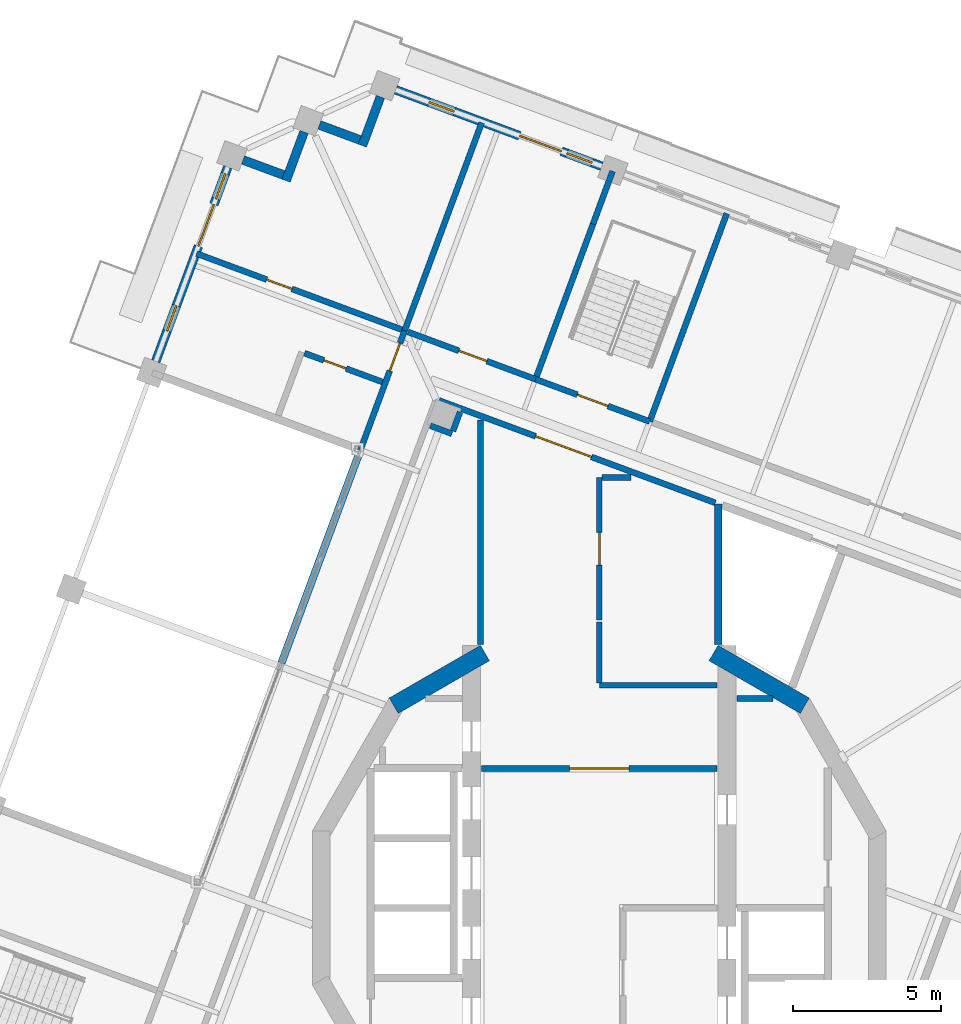
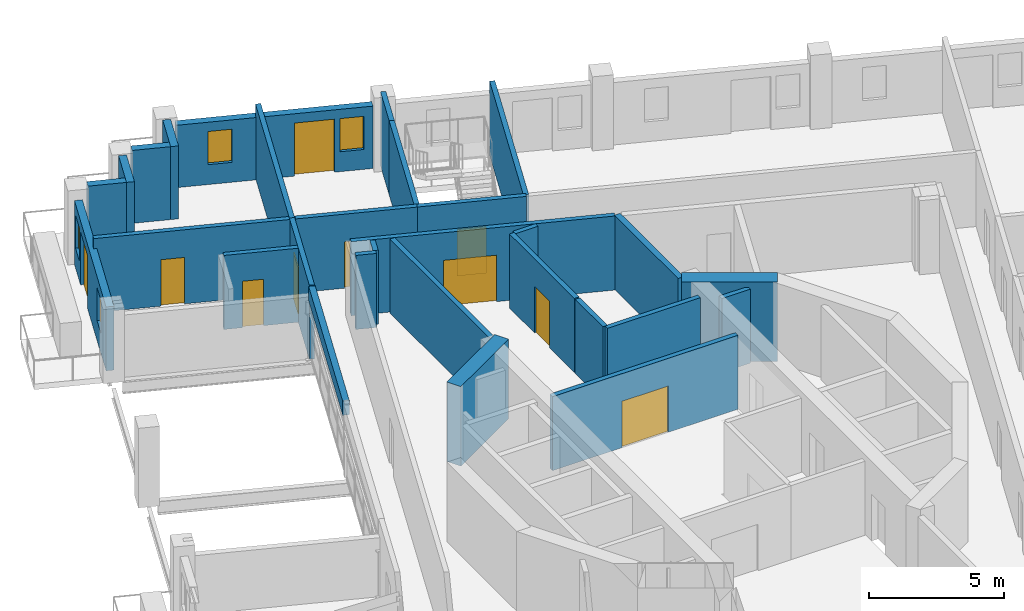
# One storey, part 11 of 20: 29 walls, 10 doors, 4 windows, 14 openings.
"""IFC4 building model written with IfcOpenShell, lengths in metres."""

from ifc_helpers import new_model, si_unit, direction, frame, frame_2d, origin, place, context, subcontext, project, spatial, rectangle, extrude, material, layer, layer_set, type_object, element, fill, save


model = new_model("IFC4")

# Units and contexts
model_context = context("Model", 3, precision=1e-05, world=origin(), true_north=direction((0.0, 1.0)))
body_context = subcontext(model_context, "Body", "Model", "MODEL_VIEW")
ifc_project = project(units=[si_unit("LENGTHUNIT", "METRE"), si_unit("AREAUNIT", "SQUARE_METRE"), si_unit("VOLUMEUNIT", "CUBIC_METRE"), si_unit("PLANEANGLEUNIT", "RADIAN"), si_unit("MASSUNIT", "GRAM", prefix="KILO")], contexts=[model_context])

# Site, building, storey
site_placement = place(None, origin())
site = spatial("IfcSite", under=ifc_project, at=site_placement, CompositionType="ELEMENT")
building_placement = place(site_placement, origin())
building = spatial("IfcBuilding", under=site, at=building_placement, Name="Cantera Rosa Tower", CompositionType="ELEMENT")
storey_placement = place(building_placement, frame((0.0, 0.0, 309.699951171875)))
storey = spatial("IfcBuildingStorey", under=building, at=storey_placement, Name="L68", CompositionType="ELEMENT", Elevation=309.699951171875)

# Wall, opening, door
ifc_material_1 = material(Name="Gypsum board partition")
ifc_layer_1 = layer(ifc_material_1, 0.199951171875)
ifc_layer_set_1 = layer_set([ifc_layer_1], Name="CORRIDOR WALL 200 H3350")
wall_type_1 = type_object("IfcWallType", Name="CORRIDOR WALL 200 H3350", PredefinedType="PARTITIONING", material=ifc_layer_set_1)
wall_1_placement = place(storey_placement, frame((-6.5537109375, 19.438720703125, 0.0), z_axis=(0.0, 0.0, 1.0), x_axis=(-0.347494854736, -0.937681889519, 0.0)))
wall_1 = element("IfcWall", 1, at=wall_1_placement, inside=storey, type_object=wall_type_1, Name="CORRIDOR WALL L68-028", PredefinedType="PARTITIONING", context=body_context, shape_type="SweptSolid", body=[
    extrude(rectangle(XDim=4.405029296875, YDim=0.199951171875, at=frame_2d((2.20263671875, 0.0))), origin(), (0.0, 0.0, 1.0), 3.35009765625),
])
opening_1_placement = place(wall_1_placement, frame((0.43994140625, 0.0, 0.0)))
opening_1 = element("IfcOpeningElement", 2, at=opening_1_placement, cuts=wall_1, Name="Opening L68-023", PredefinedType="OPENING", context=body_context, shape_type="SweptSolid", body=[
    extrude(rectangle(XDim=1.0, YDim=2.10009765625, at=frame_2d((0.5, 1.050048828125))), frame((0.0, 0.10986328125, 0.0), z_axis=(0.0, -1.0, 0.0), x_axis=(1.0, 0.0, 0.0)), (0.0, 0.0, 1.0), 0.219970703125),
])
ifc_material_2 = material(Name="Timber door leaf", Category="wood")
door_type_1 = type_object("IfcDoorType", Name="ENTRANCE DOOR 1000x2100", OperationType="NOTDEFINED", PredefinedType="DOOR", material=ifc_material_2)
door_1_placement = place(opening_1_placement, origin())
door_1 = element("IfcDoor", 3, at=door_1_placement, inside=storey, type_object=door_type_1, Name="DOOR L68-023", OperationType="NOTDEFINED", OverallHeight=2.10009765625, OverallWidth=1.0, PredefinedType="DOOR", context=body_context, shape_type="SweptSolid", body=[
    extrude(rectangle(XDim=1.0, YDim=2.10009765625, at=frame_2d((0.5, 1.050048828125))), frame((0.0, 0.02490234375, 0.0), z_axis=(0.0, -1.0, 0.0), x_axis=(1.0, 0.0, 0.0)), (0.0, 0.0, 1.0), 0.050048828125),
])
fill(opening_1, door_1)

# Wall
wall_2_placement = place(storey_placement, frame((-4.0, 16.4326171875, 0.0), z_axis=(0.0, 0.0, 1.0), x_axis=(0.0, -1.0, 0.0)))
element("IfcWall", 4, at=wall_2_placement, inside=storey, type_object=wall_type_1, Name="CORRIDOR WALL L68-046", PredefinedType="PARTITIONING", context=body_context, shape_type="SweptSolid", body=[
    extrude(rectangle(XDim=7.5537109375, YDim=0.199951171875, at=frame_2d((3.77685546875, 0.0))), origin(), (0.0, 0.0, 1.0), 3.35009765625),
])

# Wall, opening, door
wall_3_placement = place(storey_placement, frame((-3.969970703125, 4.699951171875, 0.0), z_axis=(0.0, 0.0, 1.0), x_axis=(1.0, 0.0, 0.0)))
wall_3 = element("IfcWall", 5, at=wall_3_placement, inside=storey, type_object=wall_type_1, Name="CORRIDOR WALL L68-047", PredefinedType="PARTITIONING", context=body_context, shape_type="SweptSolid", body=[
    extrude(rectangle(XDim=7.93994140625, YDim=0.199951171875, at=frame_2d((3.969970703125, 0.0))), origin(), (0.0, 0.0, 1.0), 3.35009765625),
])
opening_2_placement = place(wall_3_placement, frame((2.969970703125, 0.0, 0.0)))
opening_2 = element("IfcOpeningElement", 6, at=opening_2_placement, cuts=wall_3, Name="Opening L68-010", PredefinedType="OPENING", context=body_context, shape_type="SweptSolid", body=[
    extrude(rectangle(XDim=2.0, YDim=2.10009765625, at=frame_2d((1.0, 1.050048828125))), frame((0.0, 0.10986328125, 0.0), z_axis=(0.0, -1.0, 0.0), x_axis=(1.0, 0.0, 0.0)), (0.0, 0.0, 1.0), 0.219970703125),
])
ifc_material_3 = material(Name="Steel S355J2 (EN 10025-2)", Category="steel")
door_type_2 = type_object("IfcDoorType", Name="LOBBY SCREEN DOOR 2000x2100", OperationType="NOTDEFINED", PredefinedType="DOOR", material=ifc_material_3)
door_2_placement = place(opening_2_placement, origin())
door_2 = element("IfcDoor", 7, at=door_2_placement, inside=storey, type_object=door_type_2, Name="DOOR L68-010", OperationType="NOTDEFINED", OverallHeight=2.10009765625, OverallWidth=2.0, PredefinedType="DOOR", context=body_context, shape_type="SweptSolid", body=[
    extrude(rectangle(XDim=2.0, YDim=2.10009765625, at=frame_2d((1.0, 1.050048828125))), frame((0.0, 0.02490234375, 0.0), z_axis=(0.0, -1.0, 0.0), x_axis=(1.0, 0.0, 0.0)), (0.0, 0.0, 1.0), 0.050048828125),
])
fill(opening_2, door_2)

wall_4_placement = place(storey_placement, frame((-2.146728515625, 17.805419921875, 0.0), z_axis=(0.0, 0.0, 1.0), x_axis=(-0.937682514707, 0.347493167721, 0.0)))
wall_4 = element("IfcWall", 8, at=wall_4_placement, inside=storey, type_object=wall_type_1, Name="CORRIDOR WALL L68-048", PredefinedType="PARTITIONING", context=body_context, shape_type="SweptSolid", body=[
    extrude(rectangle(XDim=4.580078125, YDim=0.199951171875, at=frame_2d((2.2900390625, 0.0))), origin(), (0.0, 0.0, 1.0), 3.35009765625),
])
opening_3_placement = place(wall_4_placement, frame((1.75, 0.0, 0.0)))
opening_3 = element("IfcOpeningElement", 9, at=opening_3_placement, cuts=wall_4, Name="Opening L68-021", PredefinedType="OPENING", context=body_context, shape_type="SweptSolid", body=[
    extrude(rectangle(XDim=1.0, YDim=2.10009765625, at=frame_2d((0.5, 1.050048828125))), frame((0.0, 0.10986328125, 0.0), z_axis=(0.0, -1.0, 0.0), x_axis=(1.0, 0.0, 0.0)), (0.0, 0.0, 1.0), 0.219970703125),
])
ifc_material_4 = material(Name="Timber door leaf", Category="wood")
door_type_3 = type_object("IfcDoorType", Name="ROOM DOOR 1000x2100", OperationType="NOTDEFINED", PredefinedType="DOOR", material=ifc_material_4)
door_3_placement = place(opening_3_placement, origin())
door_3 = element("IfcDoor", 10, at=door_3_placement, inside=storey, type_object=door_type_3, Name="DOOR L68-021", OperationType="NOTDEFINED", OverallHeight=2.10009765625, OverallWidth=1.0, PredefinedType="DOOR", context=body_context, shape_type="SweptSolid", body=[
    extrude(rectangle(XDim=1.0, YDim=2.10009765625, at=frame_2d((0.5, 1.050048828125))), frame((0.0, 0.02490234375, 0.0), z_axis=(0.0, -1.0, 0.0), x_axis=(1.0, 0.0, 0.0)), (0.0, 0.0, 1.0), 0.050048828125),
])
fill(opening_3, door_3)

# Walls
wall_5_placement = place(storey_placement, frame((0.0, 7.5, 0.0), z_axis=(0.0, 0.0, 1.0), x_axis=(1.0, 0.0, 0.0)))
element("IfcWall", 11, at=wall_5_placement, inside=storey, type_object=wall_type_1, Name="CORRIDOR WALL L68-050", PredefinedType="PARTITIONING", context=body_context, shape_type="SweptSolid", body=[
    extrude(rectangle(XDim=3.969970703125, YDim=0.199951171875, at=frame_2d((1.98486328125, 0.0))), origin(), (0.0, 0.0, 1.0), 3.35009765625),
])
wall_6_placement = place(storey_placement, frame((0.0, 9.62939453125, 0.0), z_axis=(0.0, 0.0, 1.0), x_axis=(0.0, -1.0, 0.0)))
element("IfcWall", 12, at=wall_6_placement, inside=storey, type_object=wall_type_1, Name="CORRIDOR WALL L68-051", PredefinedType="PARTITIONING", context=body_context, shape_type="SweptSolid", body=[
    extrude(rectangle(XDim=2.04931640625, YDim=0.199951171875, at=frame_2d((1.024658203125, 0.0))), origin(), (0.0, 0.0, 1.0), 3.35009765625),
])

# Wall, opening, door
wall_7_placement = place(storey_placement, frame((0.0, 14.5, 0.0), z_axis=(0.0, 0.0, 1.0), x_axis=(0.0, -1.0, 0.0)))
wall_7 = element("IfcWall", 13, at=wall_7_placement, inside=storey, type_object=wall_type_1, Name="CORRIDOR WALL L68-052", PredefinedType="PARTITIONING", context=body_context, shape_type="SweptSolid", body=[
    extrude(rectangle(XDim=4.810791015625, YDim=0.199951171875, at=frame_2d((2.4052734375, 0.0))), origin(), (0.0, 0.0, 1.0), 3.35009765625),
])
opening_4_placement = place(wall_7_placement, frame((1.85546875, 0.0, 0.0)))
opening_4 = element("IfcOpeningElement", 14, at=opening_4_placement, cuts=wall_7, Name="Opening L68-014", PredefinedType="OPENING", context=body_context, shape_type="SweptSolid", body=[
    extrude(rectangle(XDim=1.10009765625, YDim=2.10009765625, at=frame_2d((0.550048828125, 1.050048828125))), frame((0.0, 0.10986328125, 0.0), z_axis=(0.0, -1.0, 0.0), x_axis=(1.0, 0.0, 0.0)), (0.0, 0.0, 1.0), 0.219970703125),
])
ifc_material_5 = material(Name="Timber door leaf", Category="wood")
door_type_4 = type_object("IfcDoorType", Name="ROOM DOOR 1100x2100", OperationType="NOTDEFINED", PredefinedType="DOOR", material=ifc_material_5)
door_4_placement = place(opening_4_placement, origin())
door_4 = element("IfcDoor", 15, at=door_4_placement, inside=storey, type_object=door_type_4, Name="DOOR L68-014", OperationType="NOTDEFINED", OverallHeight=2.10009765625, OverallWidth=1.10009765625, PredefinedType="DOOR", context=body_context, shape_type="SweptSolid", body=[
    extrude(rectangle(XDim=1.10009765625, YDim=2.10009765625, at=frame_2d((0.550048828125, 1.050048828125))), frame((0.0, 0.02490234375, 0.0), z_axis=(0.0, -1.0, 0.0), x_axis=(1.0, 0.0, 0.0)), (0.0, 0.0, 1.0), 0.050048828125),
])
fill(opening_4, door_4)

# Wall
wall_8_placement = place(storey_placement, frame((1.072998046875, 14.5, 0.0), z_axis=(0.0, 0.0, 1.0), x_axis=(-1.0, 0.0, 0.0)))
element("IfcWall", 16, at=wall_8_placement, inside=storey, type_object=wall_type_1, Name="CORRIDOR WALL L68-058", PredefinedType="PARTITIONING", context=body_context, shape_type="SweptSolid", body=[
    extrude(rectangle(XDim=0.972900390625, YDim=0.199951171875, at=frame_2d((0.486328125, 0.0))), origin(), (0.0, 0.0, 1.0), 3.35009765625),
])

# Wall, opening, door
wall_9_placement = place(storey_placement, frame((3.90625, 13.642822265625, 0.0), z_axis=(0.0, 0.0, 1.0), x_axis=(-0.937688197535, 0.34747783268, 0.0)))
wall_9 = element("IfcWall", 17, at=wall_9_placement, inside=storey, type_object=wall_type_1, Name="CORRIDOR WALL L68-067", PredefinedType="PARTITIONING", context=body_context, shape_type="SweptSolid", body=[
    extrude(rectangle(XDim=9.922119140625, YDim=0.199951171875, at=frame_2d((4.9609375, 0.0))), origin(), (0.0, 0.0, 1.0), 3.35009765625),
])
opening_5_placement = place(wall_9_placement, frame((4.44921875, 0.0, 0.0)))
opening_5 = element("IfcOpeningElement", 18, at=opening_5_placement, cuts=wall_9, Name="Opening L68-009", PredefinedType="OPENING", context=body_context, shape_type="SweptSolid", body=[
    extrude(rectangle(XDim=2.0, YDim=2.10009765625, at=frame_2d((1.0, 1.050048828125))), frame((0.0, 0.10986328125, 0.0), z_axis=(0.0, -1.0, 0.0), x_axis=(1.0, 0.0, 0.0)), (0.0, 0.0, 1.0), 0.219970703125),
])
door_5_placement = place(opening_5_placement, origin())
door_5 = element("IfcDoor", 19, at=door_5_placement, inside=storey, type_object=door_type_2, Name="DOOR L68-009", OperationType="NOTDEFINED", OverallHeight=2.10009765625, OverallWidth=2.0, PredefinedType="DOOR", context=body_context, shape_type="SweptSolid", body=[
    extrude(rectangle(XDim=2.0, YDim=2.10009765625, at=frame_2d((1.0, 1.050048828125))), frame((0.0, 0.02490234375, 0.0), z_axis=(0.0, -1.0, 0.0), x_axis=(1.0, 0.0, 0.0)), (0.0, 0.0, 1.0), 0.050048828125),
])
fill(opening_5, door_5)

# Walls
ifc_material_6 = material(Name="Hollow clay masonry with cantera stone cladding", Category="masonry")
ifc_layer_2 = layer(ifc_material_6, 0.300048828125)
ifc_layer_set_2 = layer_set([ifc_layer_2], Name="EW-LOGGIA 300")
wall_type_2 = type_object("IfcWallType", Name="EW-LOGGIA 300", PredefinedType="SOLIDWALL", material=ifc_layer_set_2)
wall_10_placement = place(storey_placement, frame((-7.36865234375, 27.312255859375, 0.0), z_axis=(0.0, 0.0, 1.0), x_axis=(-0.34752790836, -0.937669639538, 0.0)))
element("IfcWall", 20, at=wall_10_placement, inside=storey, type_object=wall_type_2, Name="EN-L68-W05a", PredefinedType="SOLIDWALL", context=body_context, shape_type="SweptSolid", body=[
    extrude(rectangle(XDim=1.75, YDim=0.300048828125, at=frame_2d((0.875, 0.0))), origin(), (0.0, 0.0, 1.0), 3.300048828125),
])
wall_11_placement = place(storey_placement, frame((-8.065185546875, 25.8642578125, 0.0), z_axis=(0.0, 0.0, 1.0), x_axis=(-0.937671557958, 0.347522732201, 0.0)))
element("IfcWall", 21, at=wall_11_placement, inside=storey, type_object=wall_type_2, Name="EN-L68-W05b", PredefinedType="SOLIDWALL", context=body_context, shape_type="SweptSolid", body=[
    extrude(rectangle(XDim=1.449951171875, YDim=0.300048828125, at=frame_2d((0.72509765625, 0.0))), origin(), (0.0, 0.0, 1.0), 3.300048828125),
])
wall_12_placement = place(storey_placement, frame((-9.93896484375, 26.132080078125, 0.0), z_axis=(0.0, 0.0, 1.0), x_axis=(-0.34748245117, -0.937686486054, 0.0)))
element("IfcWall", 22, at=wall_12_placement, inside=storey, type_object=wall_type_2, Name="EN-L68-W06a", PredefinedType="SOLIDWALL", context=body_context, shape_type="SweptSolid", body=[
    extrude(rectangle(XDim=1.750244140625, YDim=0.300048828125, at=frame_2d((0.875, 0.0))), origin(), (0.0, 0.0, 1.0), 3.300048828125),
])
wall_13_placement = place(storey_placement, frame((-10.635498046875, 24.683837890625, 0.0), z_axis=(0.0, 0.0, 1.0), x_axis=(-0.937671557958, 0.347522732201, 0.0)))
element("IfcWall", 23, at=wall_13_placement, inside=storey, type_object=wall_type_2, Name="EN-L68-W06b", PredefinedType="SOLIDWALL", context=body_context, shape_type="SweptSolid", body=[
    extrude(rectangle(XDim=1.449951171875, YDim=0.300048828125, at=frame_2d((0.72509765625, 0.0))), origin(), (0.0, 0.0, 1.0), 3.300048828125),
])

# Wall, openings, windows, door
ifc_material_7 = material(Name="Hollow clay masonry with cantera stone cladding", Category="masonry")
ifc_layer_3 = layer(ifc_material_7, 0.300048828125)
ifc_layer_set_3 = layer_set([ifc_layer_3], Name="EW-LOGGIA 300 H2820")
wall_type_3 = type_object("IfcWallType", Name="EW-LOGGIA 300 H2820", PredefinedType="SOLIDWALL", material=ifc_layer_set_3)
wall_14_placement = place(storey_placement, frame((0.084228515625, 24.97705078125, 0.0), z_axis=(0.0, 0.0, 1.0), x_axis=(-0.937687456783, 0.347479831633, 0.0)))
wall_14 = element("IfcWall", 24, at=wall_14_placement, inside=storey, type_object=wall_type_3, Name="EN-L68-W04", PredefinedType="SOLIDWALL", context=body_context, shape_type="SweptSolid", body=[
    extrude(rectangle(XDim=7.39990234375, YDim=0.300048828125, at=frame_2d((3.699951171875, 0.0))), origin(), (0.0, 0.0, 1.0), 2.820068359375),
])
opening_6_placement = place(wall_14_placement, frame((0.35009765625, 0.0, 0.89990234375)))
opening_6 = element("IfcOpeningElement", 25, at=opening_6_placement, cuts=wall_14, Name="Opening L68-W10", PredefinedType="OPENING", context=body_context, shape_type="SweptSolid", body=[
    extrude(rectangle(XDim=0.89990234375, YDim=1.5, at=frame_2d((0.449951171875, 0.75))), frame((0.0, 0.159912109375, 0.0), z_axis=(0.0, -1.0, 0.0), x_axis=(1.0, 0.0, 0.0)), (0.0, 0.0, 1.0), 0.320068359375),
])
opening_7_placement = place(wall_14_placement, frame((1.449951171875, 0.0, 0.0)))
opening_7 = element("IfcOpeningElement", 26, at=opening_7_placement, cuts=wall_14, Name="Opening L68-TD11", PredefinedType="OPENING", context=body_context, shape_type="SweptSolid", body=[
    extrude(rectangle(XDim=1.5, YDim=2.39990234375, at=frame_2d((0.75, 1.199951171875))), frame((0.0, 0.159912109375, 0.0), z_axis=(0.0, -1.0, 0.0), x_axis=(1.0, 0.0, 0.0)), (0.0, 0.0, 1.0), 0.320068359375),
])
opening_8_placement = place(wall_14_placement, frame((5.300048828125, 0.0, 0.89990234375)))
opening_8 = element("IfcOpeningElement", 27, at=opening_8_placement, cuts=wall_14, Name="Opening L68-W12", PredefinedType="OPENING", context=body_context, shape_type="SweptSolid", body=[
    extrude(rectangle(XDim=0.89990234375, YDim=1.5, at=frame_2d((0.449951171875, 0.75))), frame((0.0, 0.159912109375, 0.0), z_axis=(0.0, -1.0, 0.0), x_axis=(1.0, 0.0, 0.0)), (0.0, 0.0, 1.0), 0.320068359375),
])
ifc_material_8 = material(Name="Aluminium frame with clear glass", Category="aluminium")
window_type = type_object("IfcWindowType", Name="Residential window 900x1500", PartitioningType="SINGLE_PANEL", PredefinedType="WINDOW", material=ifc_material_8)
window_1_placement = place(opening_6_placement, origin())
window_1 = element("IfcWindow", 28, at=window_1_placement, inside=storey, type_object=window_type, Name="WINDOW L68-W10", OverallHeight=1.5, OverallWidth=0.89990234375, PartitioningType="SINGLE_PANEL", PredefinedType="WINDOW", context=body_context, shape_type="SweptSolid", body=[
    extrude(rectangle(XDim=0.89990234375, YDim=1.5, at=frame_2d((0.449951171875, 0.75))), frame((0.0, 0.030029296875, 0.0), z_axis=(0.0, -1.0, 0.0), x_axis=(1.0, 0.0, 0.0)), (0.0, 0.0, 1.0), 0.06005859375),
])
fill(opening_6, window_1)
window_2_placement = place(opening_8_placement, origin())
window_2 = element("IfcWindow", 29, at=window_2_placement, inside=storey, type_object=window_type, Name="WINDOW L68-W12", OverallHeight=1.5, OverallWidth=0.89990234375, PartitioningType="SINGLE_PANEL", PredefinedType="WINDOW", context=body_context, shape_type="SweptSolid", body=[
    extrude(rectangle(XDim=0.89990234375, YDim=1.5, at=frame_2d((0.449951171875, 0.75))), frame((0.0, 0.030029296875, 0.0), z_axis=(0.0, -1.0, 0.0), x_axis=(1.0, 0.0, 0.0)), (0.0, 0.0, 1.0), 0.06005859375),
])
fill(opening_8, window_2)
ifc_material_9 = material(Name="Aluminium frame with clear glass", Category="aluminium")
door_type_5 = type_object("IfcDoorType", Name="TD-R 1500x2400", OperationType="NOTDEFINED", PredefinedType="DOOR", material=ifc_material_9)
door_6_placement = place(opening_7_placement, origin())
door_6 = element("IfcDoor", 30, at=door_6_placement, inside=storey, type_object=door_type_5, Name="LOGGIA DOOR L68-TD11", OperationType="SLIDING_TO_LEFT", OverallHeight=2.39990234375, OverallWidth=1.5, PredefinedType="DOOR", context=body_context, shape_type="SweptSolid", body=[
    extrude(rectangle(XDim=1.5, YDim=2.39990234375, at=frame_2d((0.75, 1.199951171875))), frame((0.0, 0.02490234375, 0.0), z_axis=(0.0, -1.0, 0.0), x_axis=(1.0, 0.0, 0.0)), (0.0, 0.0, 1.0), 0.050048828125),
])
fill(opening_7, door_6)

ifc_material_10 = material(Name="Hollow clay masonry with cantera stone cladding", Category="masonry")
ifc_layer_4 = layer(ifc_material_10, 0.300048828125)
ifc_layer_set_4 = layer_set([ifc_layer_4], Name="EW-LOGGIA 300 H2890")
wall_type_4 = type_object("IfcWallType", Name="EW-LOGGIA 300 H2890", PredefinedType="SOLIDWALL", material=ifc_layer_set_4)
wall_15_placement = place(storey_placement, frame((-12.50927734375, 24.95166015625, 0.0), z_axis=(0.0, 0.0, 1.0), x_axis=(-0.347490919506, -0.937683347864, 0.0)))
wall_15 = element("IfcWall", 31, at=wall_15_placement, inside=storey, type_object=wall_type_4, Name="EN-L68-W07", PredefinedType="SOLIDWALL", context=body_context, shape_type="SweptSolid", body=[
    extrude(rectangle(XDim=6.980224609375, YDim=0.300048828125, at=frame_2d((3.490234375, 0.0))), origin(), (0.0, 0.0, 1.0), 2.89013671875),
])
opening_9_placement = place(wall_15_placement, frame((0.2451171875, 0.0, 0.89990234375)))
opening_9 = element("IfcOpeningElement", 32, at=opening_9_placement, cuts=wall_15, Name="Opening L68-W13", PredefinedType="OPENING", context=body_context, shape_type="SweptSolid", body=[
    extrude(rectangle(XDim=0.89990234375, YDim=1.5, at=frame_2d((0.449951171875, 0.75))), frame((0.0, 0.159912109375, 0.0), z_axis=(0.0, -1.0, 0.0), x_axis=(1.0, 0.0, 0.0)), (0.0, 0.0, 1.0), 0.320068359375),
])
opening_10_placement = place(wall_15_placement, frame((1.344970703125, 0.0, 0.0)))
opening_10 = element("IfcOpeningElement", 33, at=opening_10_placement, cuts=wall_15, Name="Opening L68-TD14", PredefinedType="OPENING", context=body_context, shape_type="SweptSolid", body=[
    extrude(rectangle(XDim=1.5, YDim=2.39990234375, at=frame_2d((0.75, 1.199951171875))), frame((0.0, 0.159912109375, 0.0), z_axis=(0.0, -1.0, 0.0), x_axis=(1.0, 0.0, 0.0)), (0.0, 0.0, 1.0), 0.320068359375),
])
opening_11_placement = place(wall_15_placement, frame((4.985107421875, 0.0, 0.89990234375)))
opening_11 = element("IfcOpeningElement", 34, at=opening_11_placement, cuts=wall_15, Name="Opening L68-W15", PredefinedType="OPENING", context=body_context, shape_type="SweptSolid", body=[
    extrude(rectangle(XDim=0.89990234375, YDim=1.5, at=frame_2d((0.449951171875, 0.75))), frame((0.0, 0.159912109375, 0.0), z_axis=(0.0, -1.0, 0.0), x_axis=(1.0, 0.0, 0.0)), (0.0, 0.0, 1.0), 0.320068359375),
])
window_3_placement = place(opening_9_placement, origin())
window_3 = element("IfcWindow", 35, at=window_3_placement, inside=storey, type_object=window_type, Name="WINDOW L68-W13", OverallHeight=1.5, OverallWidth=0.89990234375, PartitioningType="SINGLE_PANEL", PredefinedType="WINDOW", context=body_context, shape_type="SweptSolid", body=[
    extrude(rectangle(XDim=0.89990234375, YDim=1.5, at=frame_2d((0.449951171875, 0.75))), frame((0.0, 0.030029296875, 0.0), z_axis=(0.0, -1.0, 0.0), x_axis=(1.0, 0.0, 0.0)), (0.0, 0.0, 1.0), 0.06005859375),
])
fill(opening_9, window_3)
window_4_placement = place(opening_11_placement, origin())
window_4 = element("IfcWindow", 36, at=window_4_placement, inside=storey, type_object=window_type, Name="WINDOW L68-W15", OverallHeight=1.5, OverallWidth=0.89990234375, PartitioningType="SINGLE_PANEL", PredefinedType="WINDOW", context=body_context, shape_type="SweptSolid", body=[
    extrude(rectangle(XDim=0.89990234375, YDim=1.5, at=frame_2d((0.449951171875, 0.75))), frame((0.0, 0.030029296875, 0.0), z_axis=(0.0, -1.0, 0.0), x_axis=(1.0, 0.0, 0.0)), (0.0, 0.0, 1.0), 0.06005859375),
])
fill(opening_11, window_4)
door_7_placement = place(opening_10_placement, origin())
door_7 = element("IfcDoor", 37, at=door_7_placement, inside=storey, type_object=door_type_5, Name="LOGGIA DOOR L68-TD14", OperationType="SLIDING_TO_LEFT", OverallHeight=2.39990234375, OverallWidth=1.5, PredefinedType="DOOR", context=body_context, shape_type="SweptSolid", body=[
    extrude(rectangle(XDim=1.5, YDim=2.39990234375, at=frame_2d((0.75, 1.199951171875))), frame((0.0, 0.02490234375, 0.0), z_axis=(0.0, -1.0, 0.0), x_axis=(1.0, 0.0, 0.0)), (0.0, 0.0, 1.0), 0.050048828125),
])
fill(opening_10, door_7)

# Wall
ifc_material_11 = material(Name="Hollow clay masonry with cantera stone cladding", Category="masonry")
ifc_layer_5 = layer(ifc_material_11, 0.25)
ifc_layer_set_5 = layer_set([ifc_layer_5], Name="EW-POCKET REAR 250")
wall_type_5 = type_object("IfcWallType", Name="EW-POCKET REAR 250", PredefinedType="SOLIDWALL", material=ifc_layer_set_5)
wall_16_placement = place(storey_placement, frame((-8.08447265625, 15.30810546875, 2.657958984375), z_axis=(0.0, 0.0, 1.0), x_axis=(-0.347491979955, -0.937682954877, 0.0)))
element("IfcWall", 38, at=wall_16_placement, inside=storey, type_object=wall_type_5, Name="POCKET SPANDREL L68-1", PredefinedType="SOLIDWALL", context=body_context, shape_type="SweptSolid", body=[
    extrude(rectangle(XDim=7.5205078125, YDim=0.25, at=frame_2d((3.76025390625, 0.0))), origin(), (0.0, 0.0, 1.0), 0.64208984375),
])

# Wall, opening, door
ifc_material_12 = material(Name="Gypsum board partition")
ifc_layer_6 = layer(ifc_material_12, 0.199951171875)
ifc_layer_set_6 = layer_set([ifc_layer_6], Name="PARTITION 200 H3350")
wall_type_6 = type_object("IfcWallType", Name="PARTITION 200 H3350", PredefinedType="PARTITIONING", material=ifc_layer_set_6)
wall_17_placement = place(storey_placement, frame((-9.926513671875, 18.68359375, 0.0), z_axis=(0.0, 0.0, 1.0), x_axis=(0.937673016978, -0.347518795507, 0.0)))
wall_17 = element("IfcWall", 39, at=wall_17_placement, inside=storey, type_object=wall_type_6, Name="PARTITION L68-017", PredefinedType="PARTITIONING", context=body_context, shape_type="SweptSolid", body=[
    extrude(rectangle(XDim=2.80029296875, YDim=0.199951171875, at=frame_2d((1.400146484375, 0.0))), origin(), (0.0, 0.0, 1.0), 3.35009765625),
])
opening_12_placement = place(wall_17_placement, frame((0.699951171875, 0.0, 0.0)))
opening_12 = element("IfcOpeningElement", 40, at=opening_12_placement, cuts=wall_17, Name="Opening L68-024", PredefinedType="OPENING", context=body_context, shape_type="SweptSolid", body=[
    extrude(rectangle(XDim=0.800048828125, YDim=2.10009765625, at=frame_2d((0.39990234375, 1.050048828125))), frame((0.0, 0.10986328125, 0.0), z_axis=(0.0, -1.0, 0.0), x_axis=(1.0, 0.0, 0.0)), (0.0, 0.0, 1.0), 0.219970703125),
])
ifc_material_13 = material(Name="Timber door leaf", Category="wood")
door_type_6 = type_object("IfcDoorType", Name="BATHROOM DOOR 800x2100", OperationType="NOTDEFINED", PredefinedType="DOOR", material=ifc_material_13)
door_8_placement = place(opening_12_placement, origin())
door_8 = element("IfcDoor", 41, at=door_8_placement, inside=storey, type_object=door_type_6, Name="DOOR L68-024", OperationType="NOTDEFINED", OverallHeight=2.10009765625, OverallWidth=0.800048828125, PredefinedType="DOOR", context=body_context, shape_type="SweptSolid", body=[
    extrude(rectangle(XDim=0.800048828125, YDim=2.10009765625, at=frame_2d((0.39990234375, 1.050048828125))), frame((0.0, 0.02490234375, 0.0), z_axis=(0.0, -1.0, 0.0), x_axis=(1.0, 0.0, 0.0)), (0.0, 0.0, 1.0), 0.050048828125),
])
fill(opening_12, door_8)

wall_18_placement = place(storey_placement, frame((-6.647705078125, 19.473388671875, 0.0), z_axis=(0.0, 0.0, 1.0), x_axis=(-0.937691605032, 0.347468637221, 0.0)))
wall_18 = element("IfcWall", 42, at=wall_18_placement, inside=storey, type_object=wall_type_6, Name="PARTITION L68-031", PredefinedType="PARTITIONING", context=body_context, shape_type="SweptSolid", body=[
    extrude(rectangle(XDim=7.369873046875, YDim=0.199951171875, at=frame_2d((3.68505859375, 0.0))), origin(), (0.0, 0.0, 1.0), 3.35009765625),
])
opening_13_placement = place(wall_18_placement, frame((3.949951171875, 0.0, 0.0)))
opening_13 = element("IfcOpeningElement", 43, at=opening_13_placement, cuts=wall_18, Name="Opening L68-025", PredefinedType="OPENING", context=body_context, shape_type="SweptSolid", body=[
    extrude(rectangle(XDim=0.89990234375, YDim=2.10009765625, at=frame_2d((0.449951171875, 1.050048828125))), frame((0.0, 0.10986328125, 0.0), z_axis=(0.0, -1.0, 0.0), x_axis=(1.0, 0.0, 0.0)), (0.0, 0.0, 1.0), 0.219970703125),
])
ifc_material_14 = material(Name="Timber door leaf", Category="wood")
door_type_7 = type_object("IfcDoorType", Name="ROOM DOOR 900x2100", OperationType="NOTDEFINED", PredefinedType="DOOR", material=ifc_material_14)
door_9_placement = place(opening_13_placement, origin())
door_9 = element("IfcDoor", 44, at=door_9_placement, inside=storey, type_object=door_type_7, Name="DOOR L68-025", OperationType="NOTDEFINED", OverallHeight=2.10009765625, OverallWidth=0.89990234375, PredefinedType="DOOR", context=body_context, shape_type="SweptSolid", body=[
    extrude(rectangle(XDim=0.89990234375, YDim=2.10009765625, at=frame_2d((0.449951171875, 1.050048828125))), frame((0.0, 0.02490234375, 0.0), z_axis=(0.0, -1.0, 0.0), x_axis=(1.0, 0.0, 0.0)), (0.0, 0.0, 1.0), 0.050048828125),
])
fill(opening_13, door_9)

# Walls
wall_19_placement = place(storey_placement, frame((-5.691650390625, 16.23974609375, 0.0), z_axis=(0.0, 0.0, 1.0), x_axis=(0.93771100034, -0.347416291848, 0.0)))
element("IfcWall", 45, at=wall_19_placement, inside=storey, type_object=wall_type_6, Name="PARTITION L68-035", PredefinedType="PARTITIONING", context=body_context, shape_type="SweptSolid", body=[
    extrude(rectangle(XDim=0.780029296875, YDim=0.199951171875, at=frame_2d((0.39013671875, 0.0))), origin(), (0.0, 0.0, 1.0), 3.35009765625),
])
wall_20_placement = place(storey_placement, frame((-4.925537109375, 16.0625, 0.0), z_axis=(0.0, 0.0, 1.0), x_axis=(0.347501421626, 0.937679455874, 0.0)))
element("IfcWall", 46, at=wall_20_placement, inside=storey, type_object=wall_type_6, Name="PARTITION L68-040", PredefinedType="PARTITIONING", context=body_context, shape_type="SweptSolid", body=[
    extrude(rectangle(XDim=0.68017578125, YDim=0.199951171875, at=frame_2d((0.340087890625, 0.0))), origin(), (0.0, 0.0, 1.0), 3.35009765625),
])
wall_21_placement = place(storey_placement, frame((4.6298828125, 7.050048828125, 0.0), z_axis=(0.0, 0.0, 1.0), x_axis=(1.0, 0.0, 0.0)))
element("IfcWall", 47, at=wall_21_placement, inside=storey, type_object=wall_type_6, Name="PARTITION L68-069", PredefinedType="PARTITIONING", context=body_context, shape_type="SweptSolid", body=[
    extrude(rectangle(XDim=1.2177734375, YDim=0.199951171875, at=frame_2d((0.60888671875, 0.0))), origin(), (0.0, 0.0, 1.0), 3.35009765625),
])
ifc_material_15 = material(Name="Gypsum board partition")
ifc_layer_7 = layer(ifc_material_15, 0.199951171875)
ifc_layer_set_7 = layer_set([ifc_layer_7], Name="PARTY WALL 200 H3350")
wall_type_7 = type_object("IfcWallType", Name="PARTY WALL 200 H3350", PredefinedType="PARTITIONING", material=ifc_layer_set_7)
wall_22_placement = place(storey_placement, frame((-6.5537109375, 19.438720703125, 0.0), z_axis=(0.0, 0.0, 1.0), x_axis=(0.347460186276, 0.93769473655, 0.0)))
element("IfcWall", 48, at=wall_22_placement, inside=storey, type_object=wall_type_7, Name="PARTY WALL L68-032", PredefinedType="PARTITIONING", context=body_context, shape_type="SweptSolid", body=[
    extrude(rectangle(XDim=7.4697265625, YDim=0.199951171875, at=frame_2d((3.73486328125, 0.0))), origin(), (0.0, 0.0, 1.0), 3.35009765625),
])
ifc_material_16 = material(Name="Concrete C50/60", Category="concrete")
ifc_layer_8 = layer(ifc_material_16, 0.60009765625)
ifc_layer_set_8 = layer_set([ifc_layer_8], Name="RC CORE WALL 600 C50/60")
wall_type_8 = type_object("IfcWallType", Name="RC CORE WALL 600 C50/60", PredefinedType="SHEAR", material=ifc_layer_set_8)
for number, where, z_axis, x_axis, name in (
    (49, (-6.921142578125, 6.811279296875, 0.0), (0.0, 0.0, 1.0), (0.866039982607, 0.499974747889, 0.0), "CW-W5 L68"),
    (50, (3.85009765625, 8.584228515625, 0.0), (0.0, 0.0, 1.0), (0.866039982607, -0.499974747889, 0.0), "CW-E1 L68"),
):
    element("IfcWall", number, at=place(storey_placement, frame(where, z_axis=z_axis, x_axis=x_axis)), inside=storey, type_object=wall_type_8, Name=name, PredefinedType="SHEAR", context=body_context, shape_type="SweptSolid", body=[
        extrude(rectangle(XDim=3.546142578125, YDim=0.60009765625, at=frame_2d((1.77294921875, 0.0))), origin(), (0.0, 0.0, 1.0), 3.60009765625),
    ])
ifc_material_17 = material(Name="Masonry blockwork", Category="masonry")
ifc_layer_9 = layer(ifc_material_17, 0.25)
ifc_layer_set_9 = layer_set([ifc_layer_9], Name="SHAFT WALL 250 H3350")
wall_type_9 = type_object("IfcWallType", Name="SHAFT WALL 250 H3350", PredefinedType="SOLIDWALL", material=ifc_layer_set_9)
wall_23_placement = place(storey_placement, frame((4.0, 8.87890625, 0.0), z_axis=(0.0, 0.0, 1.0), x_axis=(0.0, 1.0, 0.0)))
element("IfcWall", 51, at=wall_23_placement, inside=storey, type_object=wall_type_9, Name="SHAFT WALL L68-066", PredefinedType="SOLIDWALL", context=body_context, shape_type="SweptSolid", body=[
    extrude(rectangle(XDim=4.72900390625, YDim=0.25, at=frame_2d((2.364501953125, 0.0))), origin(), (0.0, 0.0, 1.0), 3.35009765625),
])

# Wall, opening, door
ifc_material_18 = material(Name="Concrete C50/60", Category="concrete")
ifc_layer_10 = layer(ifc_material_18, 0.199951171875)
ifc_layer_set_10 = layer_set([ifc_layer_10], Name="STAIR WALL 200 H3350")
wall_type_10 = type_object("IfcWallType", Name="STAIR WALL 200 H3350", PredefinedType="SOLIDWALL", material=ifc_layer_set_10)
wall_24_placement = place(storey_placement, frame((-2.146728515625, 17.805419921875, 0.0), z_axis=(0.0, 0.0, 1.0), x_axis=(0.937694876531, -0.347459808507, 0.0)))
wall_24 = element("IfcWall", 52, at=wall_24_placement, inside=storey, type_object=wall_type_10, Name="STAIR WALL L68-049", PredefinedType="SOLIDWALL", context=body_context, shape_type="SweptSolid", body=[
    extrude(rectangle(XDim=4.099853515625, YDim=0.199951171875, at=frame_2d((2.0498046875, 0.0))), origin(), (0.0, 0.0, 1.0), 3.35009765625),
])
opening_14_placement = place(wall_24_placement, frame((1.5, 0.0, 0.0)))
opening_14 = element("IfcOpeningElement", 53, at=opening_14_placement, cuts=wall_24, Name="Opening L68-002", PredefinedType="OPENING", context=body_context, shape_type="SweptSolid", body=[
    extrude(rectangle(XDim=1.10009765625, YDim=2.10009765625, at=frame_2d((0.550048828125, 1.050048828125))), frame((0.0, 0.10986328125, 0.0), z_axis=(0.0, -1.0, 0.0), x_axis=(1.0, 0.0, 0.0)), (0.0, 0.0, 1.0), 0.219970703125),
])
ifc_material_19 = material(Name="Steel S355J2 (EN 10025-2)", Category="steel")
door_type_8 = type_object("IfcDoorType", Name="STAIR DOOR 1100x2100", OperationType="NOTDEFINED", PredefinedType="DOOR", material=ifc_material_19)
door_10_placement = place(opening_14_placement, origin())
door_10 = element("IfcDoor", 54, at=door_10_placement, inside=storey, type_object=door_type_8, Name="DOOR L68-002", OperationType="NOTDEFINED", OverallHeight=2.10009765625, OverallWidth=1.10009765625, PredefinedType="DOOR", context=body_context, shape_type="SweptSolid", body=[
    extrude(rectangle(XDim=1.10009765625, YDim=2.10009765625, at=frame_2d((0.550048828125, 1.050048828125))), frame((0.0, 0.02490234375, 0.0), z_axis=(0.0, -1.0, 0.0), x_axis=(1.0, 0.0, 0.0)), (0.0, 0.0, 1.0), 0.050048828125),
])
fill(opening_14, door_10)

# Walls
wall_25_placement = place(storey_placement, frame((0.448974609375, 24.81005859375, 0.0), z_axis=(0.0, 0.0, 1.0), x_axis=(-0.34743152672, -0.937705355771, 0.0)))
element("IfcWall", 55, at=wall_25_placement, inside=storey, type_object=wall_type_10, Name="STAIR WALL L68-053", PredefinedType="SOLIDWALL", context=body_context, shape_type="SweptSolid", body=[
    extrude(rectangle(XDim=1.900146484375, YDim=0.199951171875, at=frame_2d((0.9501953125, 0.0))), origin(), (0.0, 0.0, 1.0), 3.35009765625),
])
wall_26_placement = place(storey_placement, frame((1.69775390625, 16.380859375, 0.0), z_axis=(0.0, 0.0, 1.0), x_axis=(0.347488923611, 0.937684087509, 0.0)))
element("IfcWall", 56, at=wall_26_placement, inside=storey, type_object=wall_type_10, Name="STAIR WALL L68-059", PredefinedType="SOLIDWALL", context=body_context, shape_type="SweptSolid", body=[
    extrude(rectangle(XDim=7.469970703125, YDim=0.199951171875, at=frame_2d((3.73486328125, 0.0))), origin(), (0.0, 0.0, 1.0), 3.35009765625),
])
wall_27_placement = place(storey_placement, frame((-0.211181640625, 23.0283203125, 0.0), z_axis=(0.0, 0.0, 1.0), x_axis=(-0.347494221501, -0.937682124189, 0.0)))
element("IfcWall", 57, at=wall_27_placement, inside=storey, type_object=wall_type_10, Name="STAIR WALL L68-053 J", PredefinedType="SOLIDWALL", context=body_context, shape_type="SweptSolid", body=[
    extrude(rectangle(XDim=5.570068359375, YDim=0.199951171875, at=frame_2d((2.78515625, 0.0))), origin(), (0.0, 0.0, 1.0), 3.35009765625),
])

save(model, "model.ifc")
